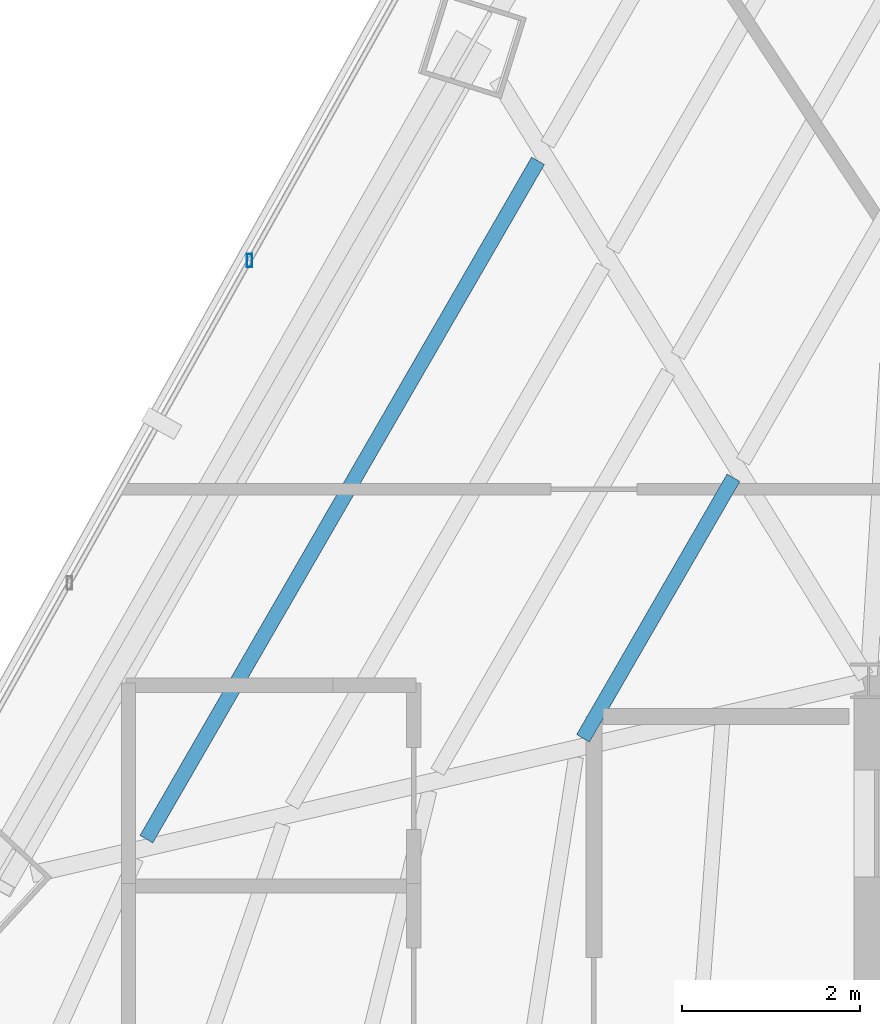
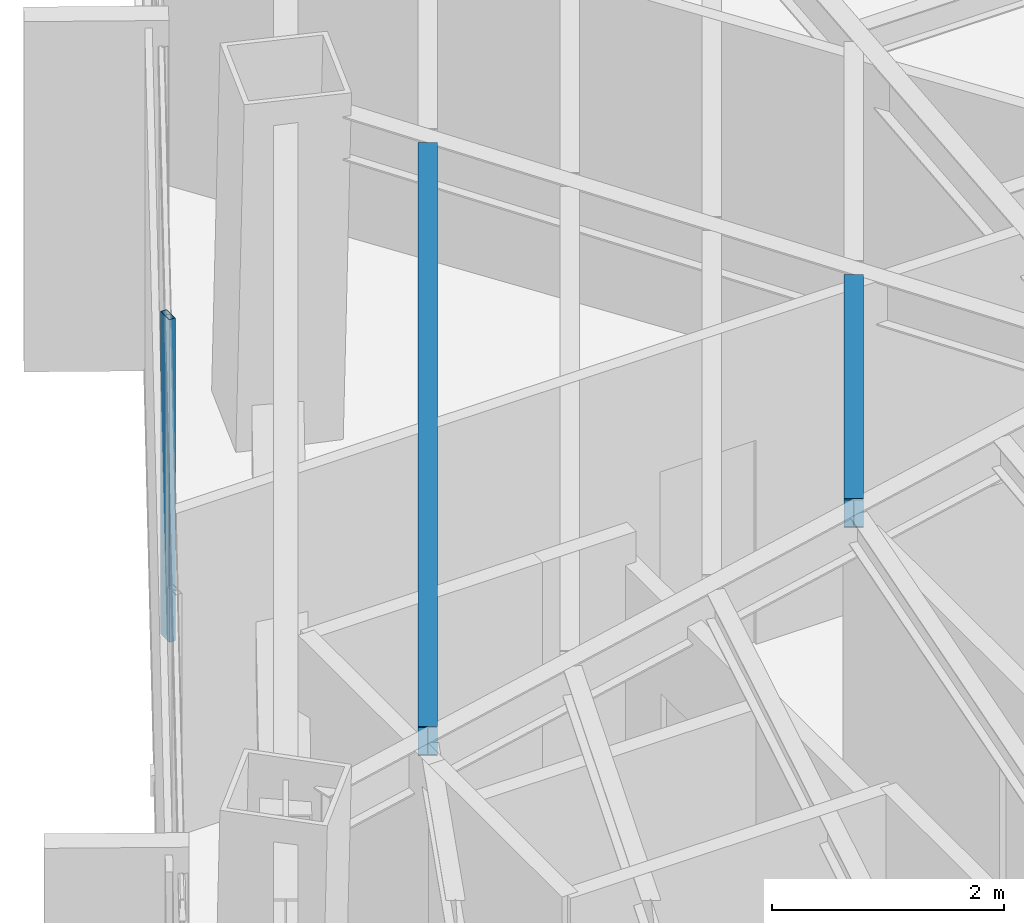
# One storey, part 15 of 39: 2 beams, 1 member, 1 element without a shape of its own.
"""IFC4 building model written with IfcOpenShell, lengths in metres."""

from ifc_helpers import new_model, si_unit, direction, frame, origin, origin_2d, place, context, subcontext, project, spatial, hollow_rectangle, i_section, extrude, source, transform, mapped, material, material_profile, profile_set, type_object, type_shapes, element, aggregate, save


model = new_model("IFC4")

# Units and contexts
model_context = context("Model", 3, precision=1e-05, world=origin(), true_north=direction((0.0, 1.0)))
body_context = subcontext(model_context, "Body", "Model", "MODEL_VIEW")
ifc_project = project(units=[si_unit("LENGTHUNIT", "METRE"), si_unit("AREAUNIT", "SQUARE_METRE"), si_unit("VOLUMEUNIT", "CUBIC_METRE"), si_unit("PLANEANGLEUNIT", "RADIAN"), si_unit("MASSUNIT", "GRAM", prefix="KILO")], contexts=[model_context])

# Site, building, storey
site_placement = place(None, origin())
site = spatial("IfcSite", under=ifc_project, at=site_placement, CompositionType="ELEMENT")
building_placement = place(site_placement, origin())
building = spatial("IfcBuilding", under=site, at=building_placement, Name="Caelisora Broadcast Tower", CompositionType="ELEMENT")
storey_placement = place(building_placement, frame((0.0, 0.0, 142.75)))
storey = spatial("IfcBuildingStorey", under=building, at=storey_placement, Name="L37", CompositionType="ELEMENT", Elevation=142.75)

# Beams
ifc_material_1 = material(Name="Steel Grade 350 (AS/NZS 3679.1)", Category="steel")
ifc_material_profile_1 = material_profile(ifc_material_1, i_section(OverallWidth=0.166015625, OverallDepth=0.30712890625, WebThickness=0.006591796875, FlangeThickness=0.01171875, at=origin_2d()), Name="Steel Grade 350 (AS/NZS 3679.1)")
ifc_profile_set_1 = profile_set([ifc_material_profile_1], Name="Steel Grade 350 (AS/NZS 3679.1)")
beam_type = type_object("IfcBeamType", Name="SB03", PredefinedType="JOIST", material=ifc_profile_set_1)
shared_shape_1 = source(origin(), body_context, "Body", "SweptSolid", [
    extrude(i_section(OverallWidth=0.166015625, OverallDepth=0.30712890625, WebThickness=0.006591796875, FlangeThickness=0.01171875, at=origin_2d()), origin(), (0.0, 0.0, 1.0), 3.3740234375),
])
beam_1_placement = place(storey_placement, frame((28.98583984375, 32.2783203125, 3.246337890625), z_axis=(-0.500069027167, -0.865985547263, 0.0), x_axis=(0.865985547263, -0.500069027167, 0.0)))
element("IfcBeam", 1, at=beam_1_placement, inside=storey, type_object=beam_type, Name="L37 beam SB03", PredefinedType="JOIST", context=body_context, shape_type="MappedRepresentation", body=[
    mapped(shared_shape_1, transform((0.0, 0.0, 0.0), scale=1.0)),
])
shared_shape_2 = source(origin(), body_context, "Body", "SweptSolid", [
    extrude(i_section(OverallWidth=0.166015625, OverallDepth=0.30712890625, WebThickness=0.006591796875, FlangeThickness=0.01171875, at=origin_2d()), origin(), (0.0, 0.0, 1.0), 8.784912109375),
])
type_shapes(beam_type, [shared_shape_1, shared_shape_2])
beam_2_placement = place(storey_placement, frame((26.793701171875, 35.8330078125, 3.246337890625), z_axis=(-0.500012733253, -0.866018052113, 0.0), x_axis=(0.866018052113, -0.500012733253, 0.0)))
element("IfcBeam", 2, at=beam_2_placement, inside=storey, type_object=beam_type, Name="L37 beam SB03", PredefinedType="JOIST", context=body_context, shape_type="MappedRepresentation", body=[
    mapped(shared_shape_2, transform((0.0, 0.0, 0.0), scale=1.0)),
])

# Curtain wall, member
ifc_material_2 = material(Name="Unitised Aluminium Insulated Shadow-Box Spandrel Curtain Wall", Category="aluminium")
curtain_wall_type = type_object("IfcCurtainWallType", Name="CW-SP2", PredefinedType="NOTDEFINED", material=ifc_material_2)
curtain_wall_placement = place(storey_placement, origin())
curtain_wall = element("IfcCurtainWall", 3, at=curtain_wall_placement, inside=storey, type_object=curtain_wall_type, Name="L37 curtain wall CW-SP2", PredefinedType="NOTDEFINED")
ifc_material_3 = material(Name="Aluminium 6063-T6 Anodised Terracotta Bronze", Category="aluminium")
ifc_material_profile_2 = material_profile(ifc_material_3, hollow_rectangle(XDim=0.06005859375, YDim=0.14990234375, WallThickness=0.00341796875, at=origin_2d()), Name="Aluminium 6063-T6 Anodised Terracotta Bronze")
ifc_profile_set_2 = profile_set([ifc_material_profile_2], Name="Aluminium 6063-T6 Anodised Terracotta Bronze")
member_type = type_object("IfcMemberType", Name="CWM-03", PredefinedType="MULLION", material=ifc_profile_set_2)
shared_shape_3 = source(origin(), body_context, "Body", "SweptSolid", [
    extrude(hollow_rectangle(XDim=0.06005859375, YDim=0.14990234375, WallThickness=0.00341796875, at=origin_2d()), origin(), (0.0, 0.0, 1.0), 3.39990234375),
])
type_shapes(member_type, [shared_shape_3])
member_placement = place(storey_placement, frame((23.55859375, 34.71435546875, 0.0), z_axis=(0.0, 0.0, 1.0), x_axis=(1.0, 0.0, 0.0)))
member = element("IfcMember", 4, at=member_placement, type_object=member_type, Name="L37-CW-B10 mullion #2", PredefinedType="MULLION", context=body_context, shape_type="MappedRepresentation", body=[
    mapped(shared_shape_3, transform((0.0, 0.0, 0.0), scale=1.0)),
])
aggregate(curtain_wall, [member])

save(model, "model.ifc")
